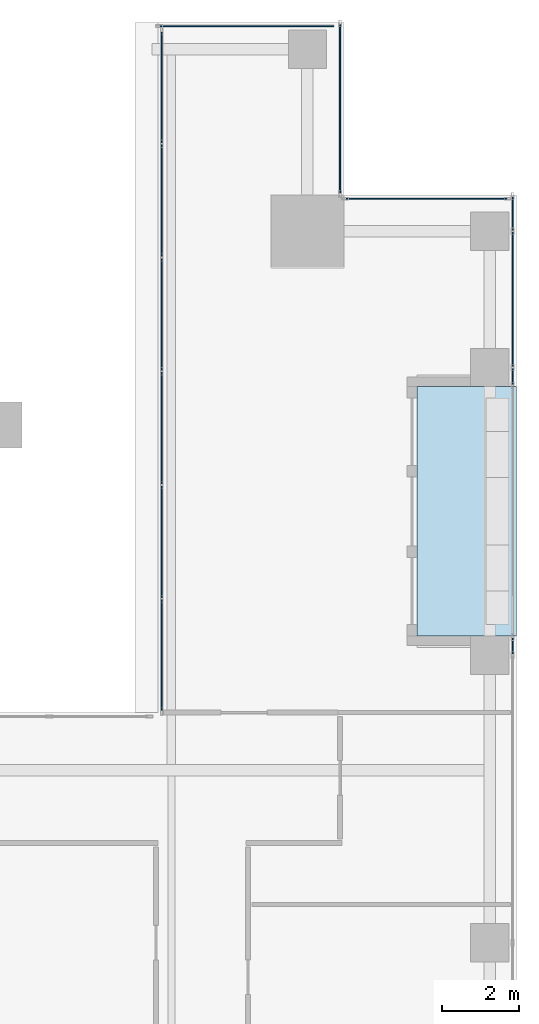
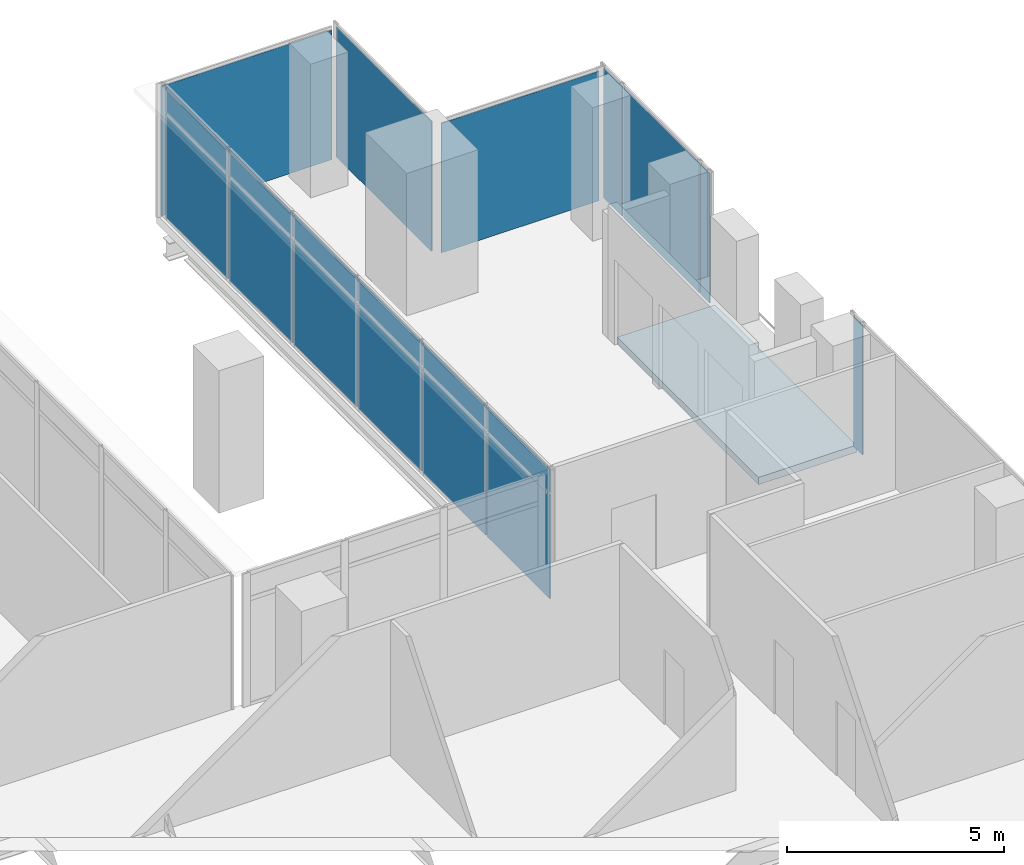
# One storey, part 33 of 40: 19 plates, 1 slab, 6 elements without a shape of their own.
"""IFC4 building model written with IfcOpenShell, lengths in metres."""

import ifcopenshell
import ifcopenshell.guid

model = None  # the IFC model being written
_history = None  # IfcOwnerHistory: only IFC2X3 demands one
_inside = {}  # id of a spatial element -> (the spatial element, [elements in it])
_under = {}  # id of a project, library or spatial element -> (it, [spatial elements below it])
_declared = {}  # id of a project -> (the project, [libraries it declares])
_typed = {}  # id of a type object -> (the type object, [elements of that type])
_made_of = {}  # id of a material, layer set ... -> (it, [elements and type objects made of it])


def new_model(schema):
    """Start an empty IFC model of exactly this schema.

    Asked for "IFC4X3", IfcOpenShell would pick the latest addendum, in which some entities
    have other attributes; the version numbers below select the first issue.
    IFC2X3 requires an IfcOwnerHistory on every rooted entity: one is made here for all.
    """
    global model, _history
    if schema == "IFC4X3":
        model = ifcopenshell.file(schema_version=(4, 3, 0, 0))
    else:
        model = ifcopenshell.file(schema=schema)
    _inside.clear()
    _under.clear()
    _declared.clear()
    _typed.clear()
    _made_of.clear()
    _history = None
    if model.schema == "IFC2X3":
        org = make("IfcOrganization", Name="unknown")
        user = make(
            "IfcPersonAndOrganization",
            ThePerson=make("IfcPerson", FamilyName="unknown"),
            TheOrganization=org,
        )
        app = make(
            "IfcApplication",
            ApplicationDeveloper=org,
            Version="unknown",
            ApplicationFullName="unknown",
            ApplicationIdentifier="unknown",
        )
        _history = make(
            "IfcOwnerHistory",
            OwningUser=user,
            OwningApplication=app,
            ChangeAction="ADDED",
            CreationDate=0,
        )
    return model


def make(cls, **values):
    """One entity of the class cls with the attributes given. An attribute that is None is left unset."""
    return model.create_entity(
        cls, **{name: value for name, value in values.items() if value is not None}
    )


def rooted(cls, **values):
    """An entity with a GlobalId (a new one), such as an element, a storey or a relation."""
    return make(cls, GlobalId=ifcopenshell.guid.new(), OwnerHistory=_history, **values)


def si_unit(unit_type, name, prefix=None):
    """IfcSIUnit, for example si_unit("LENGTHUNIT", "METRE", prefix="MILLI")."""
    return make("IfcSIUnit", UnitType=unit_type, Prefix=prefix, Name=name)


def assignment(units):
    """IfcUnitAssignment: the units of a project."""
    return None if units is None else make("IfcUnitAssignment", Units=units)


def point(xyz):
    """IfcCartesianPoint."""
    return None if xyz is None else make("IfcCartesianPoint", Coordinates=xyz)


def direction(xyz):
    """IfcDirection."""
    return None if xyz is None else make("IfcDirection", DirectionRatios=xyz)


def frame(location, z_axis=None, x_axis=None):
    """IfcAxis2Placement3D, a coordinate frame: its origin and axes. An axis left out is left unset."""
    return make(
        "IfcAxis2Placement3D",
        Location=point(location),
        Axis=direction(z_axis),
        RefDirection=direction(x_axis),
    )


def frame_2d(location, x_axis=None):
    """IfcAxis2Placement2D, a coordinate frame in the plane: its origin and x axis."""
    return make(
        "IfcAxis2Placement2D", Location=point(location), RefDirection=direction(x_axis)
    )


def origin():
    """The frame at (0, 0, 0) with its axes left unset."""
    return frame((0.0, 0.0, 0.0))


def origin_2d():
    """The frame at (0, 0) in the plane with its x axis left unset."""
    return frame_2d((0.0, 0.0))


def place(relative_to, where):
    """IfcLocalPlacement: puts the frame where relative to a parent placement (None: the world)."""
    return make(
        "IfcLocalPlacement", PlacementRelTo=relative_to, RelativePlacement=where
    )


def context(
    kind, dimensions, precision=None, world=None, true_north=None, identifier=None
):
    """IfcGeometricRepresentationContext, for example the 3D "Model" context."""
    return make(
        "IfcGeometricRepresentationContext",
        ContextIdentifier=identifier,
        ContextType=kind,
        CoordinateSpaceDimension=dimensions,
        Precision=precision,
        WorldCoordinateSystem=world,
        TrueNorth=true_north,
    )


def subcontext(parent, identifier, kind, view, scale=None):
    """IfcGeometricRepresentationSubContext, for example "Body" below "Model"."""
    return make(
        "IfcGeometricRepresentationSubContext",
        ContextIdentifier=identifier,
        ContextType=kind,
        ParentContext=parent,
        TargetScale=scale,
        TargetView=view,
    )


def project(units=None, contexts=None):
    """IfcProject with its units and contexts."""
    return rooted(
        "IfcProject",
        Name="project",
        RepresentationContexts=contexts,
        UnitsInContext=assignment(units),
    )


def spatial(cls, under=None, at=None, **own):
    """A site, building, storey or space (cls), placed at a placement, below another one or the project."""
    s = rooted(cls, ObjectPlacement=at, **own)
    if under is not None:
        _under.setdefault(under.id(), (under, []))[1].append(s)
    return s


def polyline(points):
    """IfcPolyline through the points."""
    return make("IfcPolyline", Points=[point(p) for p in points])


def profile(cls, at=None, kind="AREA", **sizes):
    """A parametric profile (cls). Its sizes go by their IFC names, for example OverallWidth=200.0."""
    return make(cls, ProfileType=kind, Position=at, **sizes)


def rectangle(**sizes):
    """IfcRectangleProfileDef."""
    return profile("IfcRectangleProfileDef", **sizes)


def outline(outer, holes=None, kind="AREA"):
    """IfcArbitraryClosedProfileDef: a profile drawn as a closed curve; with holes, ...WithVoids."""
    if holes is None:
        return make("IfcArbitraryClosedProfileDef", ProfileType=kind, OuterCurve=outer)
    return make(
        "IfcArbitraryProfileDefWithVoids",
        ProfileType=kind,
        OuterCurve=outer,
        InnerCurves=holes,
    )


def extrude(swept, where, along, depth):
    """IfcExtrudedAreaSolid: the profile swept, set in the frame where, extruded along a direction by depth."""
    return make(
        "IfcExtrudedAreaSolid",
        SweptArea=swept,
        Position=where,
        ExtrudedDirection=direction(along),
        Depth=depth,
    )


def shape(context_of_items, identifier, shape_type, items):
    """IfcShapeRepresentation: the items that make up one representation, for example the "Body"."""
    return make(
        "IfcShapeRepresentation",
        ContextOfItems=context_of_items,
        RepresentationIdentifier=identifier,
        RepresentationType=shape_type,
        Items=items,
    )


def source(mapping_origin, context_of_items, identifier, shape_type, items):
    """IfcRepresentationMap: a shape defined once, which mapped items show again and again."""
    return make(
        "IfcRepresentationMap",
        MappingOrigin=mapping_origin,
        MappedRepresentation=shape(context_of_items, identifier, shape_type, items),
    )


def transform(
    local_origin,
    x_axis=None,
    y_axis=None,
    z_axis=None,
    scale=None,
    scale2=None,
    scale3=None,
    uniform=True,
):
    """IfcCartesianTransformationOperator3D, or its non-uniform kind. x_axis, y_axis, z_axis: its Axis1, 2, 3."""
    if uniform:
        return make(
            "IfcCartesianTransformationOperator3D",
            Axis1=direction(x_axis),
            Axis2=direction(y_axis),
            LocalOrigin=point(local_origin),
            Scale=scale,
            Axis3=direction(z_axis),
        )
    return make(
        "IfcCartesianTransformationOperator3DnonUniform",
        Axis1=direction(x_axis),
        Axis2=direction(y_axis),
        LocalOrigin=point(local_origin),
        Scale=scale,
        Axis3=direction(z_axis),
        Scale2=scale2,
        Scale3=scale3,
    )


def mapped(mapping_source, mapping_target):
    """IfcMappedItem: shows the shape of a source again, moved by a transform."""
    return make(
        "IfcMappedItem", MappingSource=mapping_source, MappingTarget=mapping_target
    )


def material(Name=None, Category=None):
    """IfcMaterial."""
    return make("IfcMaterial", Name=Name, Category=Category)


def layer(
    of_material, thickness, ventilated=None, Name=None, Category=None, Priority=None
):
    """IfcMaterialLayer: one layer of a wall or slab, of a material (None: an air gap)."""
    return make(
        "IfcMaterialLayer",
        Material=of_material,
        LayerThickness=thickness,
        IsVentilated=ventilated,
        Name=Name,
        Category=Category,
        Priority=Priority,
    )


def layer_set(layers, Name=None):
    """IfcMaterialLayerSet."""
    return make("IfcMaterialLayerSet", MaterialLayers=layers, LayerSetName=Name)


def made_of(thing, what):
    """Note that an element or type object is made of a material, layer set ...; save() writes the relation."""
    if what is not None:
        _made_of.setdefault(what.id(), (what, []))[1].append(thing)
    return thing


def type_object(cls, material=None, **own):
    """A type object (cls), such as IfcWallType, which elements share."""
    return made_of(rooted(cls, **own), material)


def element(
    cls,
    number,
    at=None,
    inside=None,
    cuts=None,
    type_object=None,
    material=None,
    context=None,
    identifier="Body",
    shape_type=None,
    held_by="IfcProductDefinitionShape",
    body=None,
    shapes=None,
    **own,
):
    """One element of the class cls, such as IfcWall. Its Tag is "e" and its number.

    at: its placement. inside: the storey or other place that contains it. cuts: it is an
    opening in that element (IfcRelVoidsElement). A single representation is given by context,
    identifier, shape_type and body (its items); several are given by shapes. held_by: the class
    of the entity that holds the representations. save() writes the other relations.
    """
    e = rooted(cls, Tag="e%d" % number, ObjectPlacement=at, **own)
    if body is not None:
        shapes = [shape(context, identifier, shape_type, body)]
    if shapes is not None:
        e.Representation = make(held_by, Representations=shapes)
    if inside is not None:
        _inside.setdefault(inside.id(), (inside, []))[1].append(e)
    if cuts is not None:
        rooted(
            "IfcRelVoidsElement", RelatingBuildingElement=cuts, RelatedOpeningElement=e
        )
    if type_object is not None:
        _typed.setdefault(type_object.id(), (type_object, []))[1].append(e)
    return made_of(e, material)


def aggregate(whole, parts):
    """IfcRelAggregates: a whole, such as a stair, and the parts it consists of."""
    return rooted("IfcRelAggregates", RelatingObject=whole, RelatedObjects=parts)


def save(model, path):
    """Write the relations noted so far, then the file.

    IfcRelAggregates (storeys below a building ...), IfcRelContainedInSpatialStructure (elements
    in a storey), IfcRelDefinesByType, IfcRelAssociatesMaterial and IfcRelDeclares: one each for
    every whole, place, type object, material and project.
    """
    for whole, parts in _under.values():
        aggregate(whole, parts)
    for where, things in _inside.values():
        rooted(
            "IfcRelContainedInSpatialStructure",
            RelatedElements=things,
            RelatingStructure=where,
        )
    for kind, things in _typed.values():
        rooted("IfcRelDefinesByType", RelatedObjects=things, RelatingType=kind)
    for what, things in _made_of.values():
        rooted("IfcRelAssociatesMaterial", RelatedObjects=things, RelatingMaterial=what)
    for by, libraries in _declared.values():
        rooted("IfcRelDeclares", RelatingContext=by, RelatedDefinitions=libraries)
    model.write(path)


model = new_model("IFC4")

# Units and contexts
model_context = context("Model", 3, precision=1e-05, world=origin(), true_north=direction((0.0, 1.0)))
body_context = subcontext(model_context, "Body", "Model", "MODEL_VIEW")
ifc_project = project(units=[si_unit("LENGTHUNIT", "METRE"), si_unit("AREAUNIT", "SQUARE_METRE"), si_unit("VOLUMEUNIT", "CUBIC_METRE"), si_unit("PLANEANGLEUNIT", "RADIAN"), si_unit("MASSUNIT", "GRAM", prefix="KILO")], contexts=[model_context])

# Site, building, storey
site_placement = place(None, origin())
site = spatial("IfcSite", under=ifc_project, at=site_placement, CompositionType="ELEMENT")
building_placement = place(site_placement, origin())
building = spatial("IfcBuilding", under=site, at=building_placement, Name="Khomas Fold Tower", CompositionType="ELEMENT")
storey_placement = place(building_placement, frame((0.0, 0.0, 180.699951171875)))
storey = spatial("IfcBuildingStorey", under=building, at=storey_placement, Name="L39", CompositionType="ELEMENT", Elevation=180.699951171875)

# Curtain wall, plate
ifc_material_1 = material(Name="Aluminium framed double glazing", Category="aluminium")
curtain_wall_type_1 = type_object("IfcCurtainWallType", Name="SK-Unitised clear-glass wall, office floors CW2", PredefinedType="NOTDEFINED", material=ifc_material_1)
curtain_wall_1_placement = place(storey_placement, origin())
curtain_wall_1 = element("IfcCurtainWall", 1, at=curtain_wall_1_placement, inside=storey, type_object=curtain_wall_type_1, Name="CW2 corner return L39 10", PredefinedType="NOTDEFINED")
ifc_material_2 = material(Name="Clear double glazed unit")
ifc_layer_1 = layer(ifc_material_2, 0.030029296875)
ifc_layer_set_1 = layer_set([ifc_layer_1], Name="Clear double glazed unit")
plate_type_1 = type_object("IfcPlateType", Name="SK-Unitised clear-glass wall, office floors glass panel CW2-P", PredefinedType="CURTAIN_PANEL", material=ifc_layer_set_1)
shared_shape_1 = source(origin(), body_context, "Body", "SweptSolid", [
    extrude(rectangle(XDim=4.3798828125, YDim=0.030029296875, at=origin_2d()), origin(), (0.0, 0.0, 1.0), 3.639892578125),
])
plate_1_placement = place(storey_placement, frame((46.39990234375, 48.75, 0.0), z_axis=(0.0, 0.0, 1.0), x_axis=(0.0, 1.0, 0.0)))
plate_1 = element("IfcPlate", 2, at=plate_1_placement, type_object=plate_type_1, Name="CW2 glass panel 1", PredefinedType="CURTAIN_PANEL", context=body_context, shape_type="MappedRepresentation", body=[
    mapped(shared_shape_1, transform((0.0, 0.0, 0.0))),
])
aggregate(curtain_wall_1, [plate_1])

curtain_wall_2_placement = place(storey_placement, origin())
curtain_wall_2 = element("IfcCurtainWall", 3, at=curtain_wall_2_placement, inside=storey, type_object=curtain_wall_type_1, Name="CW2 run L39 08-1", PredefinedType="NOTDEFINED")
shared_shape_2 = source(origin(), body_context, "Body", "SweptSolid", [
    extrude(rectangle(XDim=3.489990234375, YDim=0.030029296875, at=origin_2d()), origin(), (0.0, 0.0, 1.0), 3.639892578125),
])
plate_2_placement = place(storey_placement, frame((50.89990234375, 43.77490234375, 0.0), z_axis=(0.0, 0.0, 1.0), x_axis=(0.0, 1.0, 0.0)))
plate_2 = element("IfcPlate", 4, at=plate_2_placement, type_object=plate_type_1, Name="CW2 glass panel 2", PredefinedType="CURTAIN_PANEL", context=body_context, shape_type="MappedRepresentation", body=[
    mapped(shared_shape_2, transform((0.0, 0.0, 0.0))),
])

curtain_wall_3_placement = place(storey_placement, origin())
curtain_wall_3 = element("IfcCurtainWall", 5, at=curtain_wall_3_placement, inside=storey, type_object=curtain_wall_type_1, Name="CW2 corner return L39 09", PredefinedType="NOTDEFINED")
shared_shape_3 = source(origin(), body_context, "Body", "SweptSolid", [
    extrude(rectangle(XDim=4.179931640625, YDim=0.030029296875, at=origin_2d()), origin(), (0.0, 0.0, 1.0), 3.639892578125),
])
plate_3_placement = place(storey_placement, frame((48.64990234375, 46.39990234375, 0.0), z_axis=(0.0, 0.0, 1.0), x_axis=(-1.0, 0.0, 0.0)))
plate_3 = element("IfcPlate", 6, at=plate_3_placement, type_object=plate_type_1, Name="CW2 glass panel 1", PredefinedType="CURTAIN_PANEL", context=body_context, shape_type="MappedRepresentation", body=[
    mapped(shared_shape_3, transform((0.0, 0.0, 0.0))),
])
aggregate(curtain_wall_3, [plate_3])

curtain_wall_4_placement = place(storey_placement, origin())
curtain_wall_4 = element("IfcCurtainWall", 7, at=curtain_wall_4_placement, inside=storey, type_object=curtain_wall_type_1, Name="CW2 run L39 08-0", PredefinedType="NOTDEFINED")
shared_shape_4 = source(origin(), body_context, "Body", "SweptSolid", [
    extrude(rectangle(XDim=0.409912109375, YDim=0.030029296875, at=origin_2d()), origin(), (0.0, 0.0, 1.0), 3.639892578125),
])
plate_4_placement = place(storey_placement, frame((50.89990234375, 34.735107421875, 0.0), z_axis=(0.0, 0.0, 1.0), x_axis=(0.0, 1.0, 0.0)))
plate_4 = element("IfcPlate", 8, at=plate_4_placement, type_object=plate_type_1, Name="CW2 glass panel 6", PredefinedType="CURTAIN_PANEL", context=body_context, shape_type="MappedRepresentation", body=[
    mapped(shared_shape_4, transform((0.0, 0.0, 0.0))),
])
aggregate(curtain_wall_4, [plate_4])

# Plate
plate_5_placement = place(storey_placement, frame((50.89990234375, 41.764892578125, 0.0), z_axis=(0.0, 0.0, 1.0), x_axis=(0.0, 1.0, 0.0)))
plate_5 = element("IfcPlate", 9, at=plate_5_placement, type_object=plate_type_1, Name="CW2 glass panel 1", PredefinedType="CURTAIN_PANEL", context=body_context, shape_type="MappedRepresentation", body=[
    mapped(shared_shape_4, transform((0.0, 0.0, 0.0))),
])

shared_shape_5 = source(origin(), body_context, "Body", "SweptSolid", [
    extrude(rectangle(XDim=0.860107421875, YDim=0.030029296875, at=origin_2d()), origin(), (0.0, 0.0, 1.0), 3.639892578125),
])
plate_6_placement = place(storey_placement, frame((50.89990234375, 46.010009765625, 0.0), z_axis=(0.0, 0.0, 1.0), x_axis=(0.0, 1.0, 0.0)))
plate_6 = element("IfcPlate", 10, at=plate_6_placement, type_object=plate_type_1, Name="CW2 glass panel 3", PredefinedType="CURTAIN_PANEL", context=body_context, shape_type="MappedRepresentation", body=[
    mapped(shared_shape_5, transform((0.0, 0.0, 0.0))),
])

aggregate(curtain_wall_2, [plate_5, plate_2, plate_6])

# Curtain wall, plate
curtain_wall_5_placement = place(storey_placement, origin())
curtain_wall_5 = element("IfcCurtainWall", 11, at=curtain_wall_5_placement, inside=storey, type_object=curtain_wall_type_1, Name="CW2 run L39 11-0", PredefinedType="NOTDEFINED")
shared_shape_6 = source(origin(), body_context, "Body", "SweptSolid", [
    extrude(rectangle(XDim=4.530029296875, YDim=0.030029296875, at=origin_2d()), origin(), (0.0, 0.0, 1.0), 3.639892578125),
])
plate_7_placement = place(storey_placement, frame((43.97509765625, 50.89990234375, 0.0), z_axis=(0.0, 0.0, 1.0), x_axis=(-1.0, 0.0, 0.0)))
plate_7 = element("IfcPlate", 12, at=plate_7_placement, type_object=plate_type_1, Name="CW2 glass panel 1", PredefinedType="CURTAIN_PANEL", context=body_context, shape_type="MappedRepresentation", body=[
    mapped(shared_shape_6, transform((0.0, 0.0, 0.0))),
])
aggregate(curtain_wall_5, [plate_7])

# Slab
ifc_material_3 = material(Name="Concrete C40/50", Category="concrete")
ifc_layer_2 = layer(ifc_material_3, 0.205078125)
ifc_layer_set_2 = layer_set([ifc_layer_2], Name="Concrete C40/50")
slab_type = type_object("IfcSlabType", Name="BL-Balcony deck 205", PredefinedType="FLOOR", material=ifc_layer_set_2)
shared_shape_7 = source(origin(), body_context, "Body", "SweptSolid", [
    extrude(outline(polyline([(48.39990234375, 35.0), (51.0, 35.0), (51.0, 41.5), (48.39990234375, 41.5), (48.39990234375, 35.0)])), origin(), (0.0, 0.0, 1.0), 0.205078125),
])
slab_placement = place(storey_placement, frame((0.0, 0.0, -0.25)))
element("IfcSlab", 13, at=slab_placement, inside=storey, type_object=slab_type, Name="Balcony deck BAL-L39-E4", PredefinedType="FLOOR", context=body_context, shape_type="MappedRepresentation", body=[
    mapped(shared_shape_7, transform((0.0, 0.0, 0.0))),
])

# Curtain wall, plates
ifc_material_4 = material(Name="Aluminium framed double glazing", Category="aluminium")
curtain_wall_type_2 = type_object("IfcCurtainWallType", Name="Notch glazing GN-CW", PredefinedType="NOTDEFINED", material=ifc_material_4)
curtain_wall_6_placement = place(storey_placement, origin())
curtain_wall_6 = element("IfcCurtainWall", 14, at=curtain_wall_6_placement, inside=storey, type_object=curtain_wall_type_2, Name="Notch glazing run", PredefinedType="NOTDEFINED")
ifc_material_5 = material(Name="Double glazed unit")
ifc_layer_3 = layer(ifc_material_5, 0.031982421875)
ifc_layer_set_3 = layer_set([ifc_layer_3], Name="Double glazed unit")
plate_type_2 = type_object("IfcPlateType", Name="Notch glazing panel GN-CW-P", PredefinedType="CURTAIN_PANEL", material=ifc_layer_set_3)
shared_shape_8 = source(origin(), body_context, "Body", "SweptSolid", [
    extrude(rectangle(XDim=2.876708984375, YDim=0.031982421875, at=origin_2d()), origin(), (0.0, 0.0, 1.0), 2.909912109375),
])
plate_8_placement = place(storey_placement, frame((41.75, 49.3017578125, 0.06005859375), z_axis=(0.0, 0.0, 1.0), x_axis=(0.0, -1.0, 0.0)))
plate_8 = element("IfcPlate", 15, at=plate_8_placement, type_object=plate_type_2, Name="GN-CW panel 1.1", PredefinedType="CURTAIN_PANEL", context=body_context, shape_type="MappedRepresentation", body=[
    mapped(shared_shape_8, transform((0.0, 0.0, 0.0))),
])
plate_9_placement = place(storey_placement, frame((41.75, 34.498291015625, 0.06005859375), z_axis=(0.0, 0.0, 1.0), x_axis=(0.0, -1.0, 0.0)))
plate_9 = element("IfcPlate", 16, at=plate_9_placement, type_object=plate_type_2, Name="GN-CW panel 6.1", PredefinedType="CURTAIN_PANEL", context=body_context, shape_type="MappedRepresentation", body=[
    mapped(shared_shape_8, transform((0.0, 0.0, 0.0))),
])
shared_shape_9 = source(origin(), body_context, "Body", "SweptSolid", [
    extrude(rectangle(XDim=2.90673828125, YDim=0.031982421875, at=origin_2d()), origin(), (0.0, 0.0, 1.0), 2.909912109375),
])
plate_10_placement = place(storey_placement, frame((41.75, 46.35009765625, 0.06005859375), z_axis=(0.0, 0.0, 1.0), x_axis=(0.0, -1.0, 0.0)))
plate_10 = element("IfcPlate", 17, at=plate_10_placement, type_object=plate_type_2, Name="GN-CW panel 2.1", PredefinedType="CURTAIN_PANEL", context=body_context, shape_type="MappedRepresentation", body=[
    mapped(shared_shape_9, transform((0.0, 0.0, 0.0))),
])
plate_11_placement = place(storey_placement, frame((41.75, 43.38330078125, 0.06005859375), z_axis=(0.0, 0.0, 1.0), x_axis=(0.0, -1.0, 0.0)))
plate_11 = element("IfcPlate", 18, at=plate_11_placement, type_object=plate_type_2, Name="GN-CW panel 3.1", PredefinedType="CURTAIN_PANEL", context=body_context, shape_type="MappedRepresentation", body=[
    mapped(shared_shape_9, transform((0.0, 0.0, 0.0))),
])
plate_12_placement = place(storey_placement, frame((41.75, 40.416748046875, 0.06005859375), z_axis=(0.0, 0.0, 1.0), x_axis=(0.0, -1.0, 0.0)))
plate_12 = element("IfcPlate", 19, at=plate_12_placement, type_object=plate_type_2, Name="GN-CW panel 4.1", PredefinedType="CURTAIN_PANEL", context=body_context, shape_type="MappedRepresentation", body=[
    mapped(shared_shape_9, transform((0.0, 0.0, 0.0))),
])
plate_13_placement = place(storey_placement, frame((41.75, 37.449951171875, 0.06005859375), z_axis=(0.0, 0.0, 1.0), x_axis=(0.0, -1.0, 0.0)))
plate_13 = element("IfcPlate", 20, at=plate_13_placement, type_object=plate_type_2, Name="GN-CW panel 5.1", PredefinedType="CURTAIN_PANEL", context=body_context, shape_type="MappedRepresentation", body=[
    mapped(shared_shape_9, transform((0.0, 0.0, 0.0))),
])
shared_shape_10 = source(origin(), body_context, "Body", "SweptSolid", [
    extrude(rectangle(XDim=2.876708984375, YDim=0.031982421875, at=origin_2d()), origin(), (0.0, 0.0, 1.0), 0.659912109375),
])
plate_14_placement = place(storey_placement, frame((41.75, 49.3017578125, 3.0302734375), z_axis=(0.0, 0.0, 1.0), x_axis=(0.0, -1.0, 0.0)))
plate_14 = element("IfcPlate", 21, at=plate_14_placement, type_object=plate_type_2, Name="GN-CW panel 1.2", PredefinedType="CURTAIN_PANEL", context=body_context, shape_type="MappedRepresentation", body=[
    mapped(shared_shape_10, transform((0.0, 0.0, 0.0))),
])
plate_15_placement = place(storey_placement, frame((41.75, 34.498291015625, 3.0302734375), z_axis=(0.0, 0.0, 1.0), x_axis=(0.0, -1.0, 0.0)))
plate_15 = element("IfcPlate", 22, at=plate_15_placement, type_object=plate_type_2, Name="GN-CW panel 6.2", PredefinedType="CURTAIN_PANEL", context=body_context, shape_type="MappedRepresentation", body=[
    mapped(shared_shape_10, transform((0.0, 0.0, 0.0))),
])
shared_shape_11 = source(origin(), body_context, "Body", "SweptSolid", [
    extrude(rectangle(XDim=2.90673828125, YDim=0.031982421875, at=origin_2d()), origin(), (0.0, 0.0, 1.0), 0.659912109375),
])
plate_16_placement = place(storey_placement, frame((41.75, 46.35009765625, 3.0302734375), z_axis=(0.0, 0.0, 1.0), x_axis=(0.0, -1.0, 0.0)))
plate_16 = element("IfcPlate", 23, at=plate_16_placement, type_object=plate_type_2, Name="GN-CW panel 2.2", PredefinedType="CURTAIN_PANEL", context=body_context, shape_type="MappedRepresentation", body=[
    mapped(shared_shape_11, transform((0.0, 0.0, 0.0))),
])
plate_17_placement = place(storey_placement, frame((41.75, 43.38330078125, 3.0302734375), z_axis=(0.0, 0.0, 1.0), x_axis=(0.0, -1.0, 0.0)))
plate_17 = element("IfcPlate", 24, at=plate_17_placement, type_object=plate_type_2, Name="GN-CW panel 3.2", PredefinedType="CURTAIN_PANEL", context=body_context, shape_type="MappedRepresentation", body=[
    mapped(shared_shape_11, transform((0.0, 0.0, 0.0))),
])
plate_18_placement = place(storey_placement, frame((41.75, 40.416748046875, 3.0302734375), z_axis=(0.0, 0.0, 1.0), x_axis=(0.0, -1.0, 0.0)))
plate_18 = element("IfcPlate", 25, at=plate_18_placement, type_object=plate_type_2, Name="GN-CW panel 4.2", PredefinedType="CURTAIN_PANEL", context=body_context, shape_type="MappedRepresentation", body=[
    mapped(shared_shape_11, transform((0.0, 0.0, 0.0))),
])
plate_19_placement = place(storey_placement, frame((41.75, 37.449951171875, 3.0302734375), z_axis=(0.0, 0.0, 1.0), x_axis=(0.0, -1.0, 0.0)))
plate_19 = element("IfcPlate", 26, at=plate_19_placement, type_object=plate_type_2, Name="GN-CW panel 5.2", PredefinedType="CURTAIN_PANEL", context=body_context, shape_type="MappedRepresentation", body=[
    mapped(shared_shape_11, transform((0.0, 0.0, 0.0))),
])
aggregate(curtain_wall_6, [plate_8, plate_14, plate_10, plate_16, plate_11, plate_17, plate_12, plate_18, plate_13, plate_19, plate_9, plate_15])

save(model, "model.ifc")
